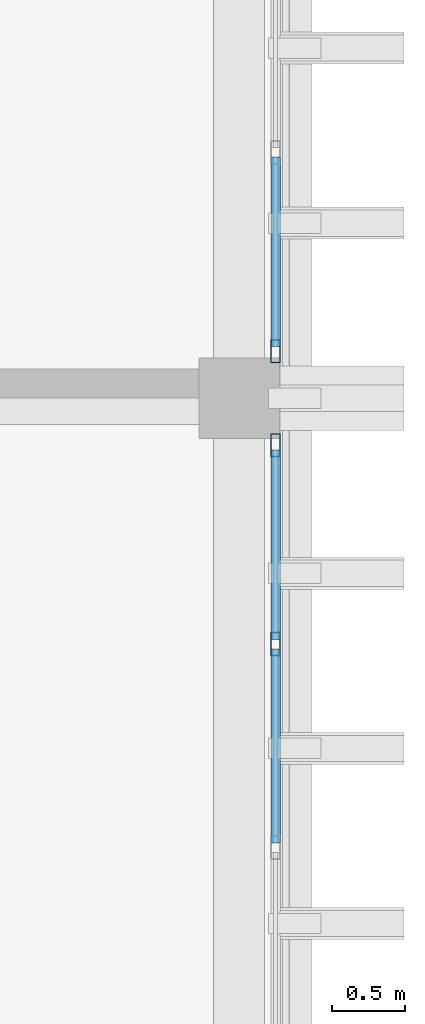
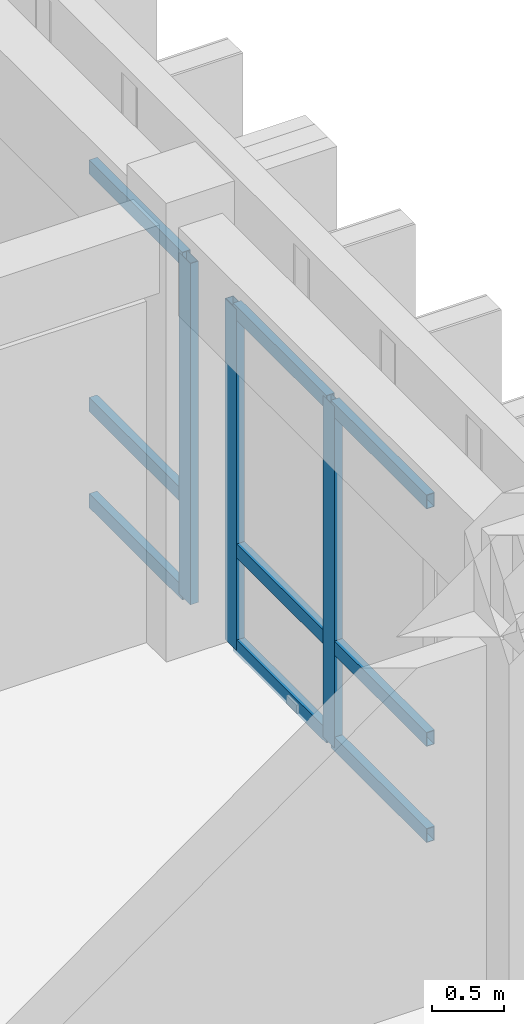
# One storey, part 32 of 50: 12 members, 2 elements without a shape of their own.
"""IFC4 building model written with IfcOpenShell, lengths in metres."""

from ifc_helpers import new_model, si_unit, direction, frame, origin, origin_2d, place, context, subcontext, project, spatial, hollow_rectangle, extrude, material, layer, layer_set, material_profile, profile_set, type_object, element, aggregate, save


model = new_model("IFC4")

# Units and contexts
model_context = context("Model", 3, precision=1e-05, world=origin(), true_north=direction((0.0, 1.0)))
body_context = subcontext(model_context, "Body", "Model", "MODEL_VIEW")
ifc_project = project(units=[si_unit("LENGTHUNIT", "METRE"), si_unit("AREAUNIT", "SQUARE_METRE"), si_unit("VOLUMEUNIT", "CUBIC_METRE"), si_unit("PLANEANGLEUNIT", "RADIAN"), si_unit("MASSUNIT", "GRAM", prefix="KILO")], contexts=[model_context])

# Site, building, storey
site_placement = place(None, origin())
site = spatial("IfcSite", under=ifc_project, at=site_placement, CompositionType="ELEMENT")
building_placement = place(site_placement, origin())
building = spatial("IfcBuilding", under=site, at=building_placement, Name="Nakhvara Creek Congress Hotel", CompositionType="ELEMENT")
storey_placement = place(building_placement, frame((0.0, 0.0, 42.60009765625)))
storey = spatial("IfcBuildingStorey", under=building, at=storey_placement, Name="L10", CompositionType="ELEMENT", Elevation=42.60009765625)

# Curtain wall, members
ifc_material_1 = material(Name="Bronze-anodised aluminium AW-6063-T6 and double-silver low-E glass", Category="aluminium")
ifc_layer = layer(ifc_material_1, 0.199951171875)
ifc_layer_set = layer_set([ifc_layer], Name="Bronze-anodised aluminium AW-6063-T6 and double-silver low-E glass")
curtain_wall_type = type_object("IfcCurtainWallType", Name="CW-HTL-UNIT", PredefinedType="USERDEFINED", material=ifc_layer_set)
curtain_wall_1_placement = place(storey_placement, origin())
curtain_wall_1 = element("IfcCurtainWall", 1, at=curtain_wall_1_placement, inside=storey, type_object=curtain_wall_type, Name="Curtain Wall CW326", ObjectType="UNITISED", PredefinedType="USERDEFINED")
ifc_material_2 = material(Name="Bronze-anodised aluminium AW-6063-T6", Category="aluminium")
ifc_material_profile_1 = material_profile(ifc_material_2, hollow_rectangle(XDim=0.06494140625, YDim=0.159912109375, WallThickness=0.00390625, at=origin_2d()), Name="ALU-MULL 65x160x4", Category="LoadBearing")
ifc_profile_set_1 = profile_set([ifc_material_profile_1], Name="Bronze-anodised aluminium AW-6063-T6")
member_type_1 = type_object("IfcMemberType", Name="CW-MULL-160", PredefinedType="MULLION", material=ifc_profile_set_1)
member_1_placement = place(storey_placement, frame((179.60009765625, 110.077392578125, 0.0), z_axis=(0.0, 0.0, 1.0), x_axis=(1.0, 0.0, 0.0)))
member_1 = element("IfcMember", 2, at=member_1_placement, type_object=member_type_1, Name="CW326 mullion 1", PredefinedType="MULLION", context=body_context, shape_type="SweptSolid", body=[
    extrude(hollow_rectangle(XDim=0.06494140625, YDim=0.159912109375, WallThickness=0.00390625, at=origin_2d()), origin(), (0.0, 0.0, 1.0), 2.90185546875),
])
member_2_placement = place(storey_placement, frame((179.60009765625, 108.715087890625, 0.0), z_axis=(0.0, 0.0, 1.0), x_axis=(1.0, 0.0, 0.0)))
member_2 = element("IfcMember", 3, at=member_2_placement, type_object=member_type_1, Name="CW326 mullion 2", PredefinedType="MULLION", context=body_context, shape_type="SweptSolid", body=[
    extrude(hollow_rectangle(XDim=0.06494140625, YDim=0.159912109375, WallThickness=0.00390625, at=origin_2d()), origin(), (0.0, 0.0, 1.0), 2.90185546875),
])

# Curtain wall, member
curtain_wall_2_placement = place(storey_placement, origin())
curtain_wall_2 = element("IfcCurtainWall", 4, at=curtain_wall_2_placement, inside=storey, type_object=curtain_wall_type, Name="Curtain Wall CW328", ObjectType="UNITISED", PredefinedType="USERDEFINED")
member_3_placement = place(storey_placement, frame((179.60009765625, 110.722412109375, 0.0), z_axis=(0.0, 0.0, 1.0), x_axis=(1.0, 0.0, 0.0)))
member_3 = element("IfcMember", 5, at=member_3_placement, type_object=member_type_1, Name="CW328 mullion 4", PredefinedType="MULLION", context=body_context, shape_type="SweptSolid", body=[
    extrude(hollow_rectangle(XDim=0.06494140625, YDim=0.159912109375, WallThickness=0.00390625, at=origin_2d()), origin(), (0.0, 0.0, 1.0), 2.90185546875),
])

# Member
ifc_material_profile_2 = material_profile(ifc_material_2, hollow_rectangle(XDim=0.06494140625, YDim=0.1201171875, WallThickness=0.00390625, at=origin_2d()), Name="ALU-TRAN 65x120x4", Category="LoadBearing")
ifc_profile_set_2 = profile_set([ifc_material_profile_2], Name="Bronze-anodised aluminium AW-6063-T6")
member_type_2 = type_object("IfcMemberType", Name="CW-TRAN-120", PredefinedType="USERDEFINED", material=ifc_profile_set_2)
member_4_placement = place(storey_placement, frame((179.60009765625, 110.044921875, 0.032470703125), z_axis=(0.0, -1.0, 0.0), x_axis=(1.0, 0.0, 0.0)))
member_4 = element("IfcMember", 6, at=member_4_placement, type_object=member_type_2, Name="CW326 transom 1.1", ObjectType="TRANSOM", PredefinedType="USERDEFINED", context=body_context, shape_type="SweptSolid", body=[
    extrude(hollow_rectangle(XDim=0.06494140625, YDim=0.1201171875, WallThickness=0.00390625, at=origin_2d()), origin(), (0.0, 0.0, 1.0), 1.29736328125),
])

member_5_placement = place(storey_placement, frame((179.60009765625, 110.044921875, 0.849853515625), z_axis=(0.0, -1.0, 0.0), x_axis=(1.0, 0.0, 0.0)))
member_5 = element("IfcMember", 7, at=member_5_placement, type_object=member_type_2, Name="CW326 transom 1.2", ObjectType="TRANSOM", PredefinedType="USERDEFINED", context=body_context, shape_type="SweptSolid", body=[
    extrude(hollow_rectangle(XDim=0.06494140625, YDim=0.1201171875, WallThickness=0.00390625, at=origin_2d()), origin(), (0.0, 0.0, 1.0), 1.29736328125),
])

member_6_placement = place(storey_placement, frame((179.60009765625, 110.044921875, 2.869384765625), z_axis=(0.0, -1.0, 0.0), x_axis=(1.0, 0.0, 0.0)))
member_6 = element("IfcMember", 8, at=member_6_placement, type_object=member_type_2, Name="CW326 transom 1.3", ObjectType="TRANSOM", PredefinedType="USERDEFINED", context=body_context, shape_type="SweptSolid", body=[
    extrude(hollow_rectangle(XDim=0.06494140625, YDim=0.1201171875, WallThickness=0.00390625, at=origin_2d()), origin(), (0.0, 0.0, 1.0), 1.29736328125),
])

member_7_placement = place(storey_placement, frame((179.60009765625, 108.6826171875, 0.032470703125), z_axis=(0.0, -1.0, 0.0), x_axis=(1.0, 0.0, 0.0)))
member_7 = element("IfcMember", 9, at=member_7_placement, type_object=member_type_2, Name="CW326 transom 2.1", ObjectType="TRANSOM", PredefinedType="USERDEFINED", context=body_context, shape_type="SweptSolid", body=[
    extrude(hollow_rectangle(XDim=0.06494140625, YDim=0.1201171875, WallThickness=0.00390625, at=origin_2d()), origin(), (0.0, 0.0, 1.0), 1.330078125),
])

member_8_placement = place(storey_placement, frame((179.60009765625, 108.6826171875, 0.849853515625), z_axis=(0.0, -1.0, 0.0), x_axis=(1.0, 0.0, 0.0)))
member_8 = element("IfcMember", 10, at=member_8_placement, type_object=member_type_2, Name="CW326 transom 2.2", ObjectType="TRANSOM", PredefinedType="USERDEFINED", context=body_context, shape_type="SweptSolid", body=[
    extrude(hollow_rectangle(XDim=0.06494140625, YDim=0.1201171875, WallThickness=0.00390625, at=origin_2d()), origin(), (0.0, 0.0, 1.0), 1.330078125),
])

member_9_placement = place(storey_placement, frame((179.60009765625, 108.6826171875, 2.869384765625), z_axis=(0.0, -1.0, 0.0), x_axis=(1.0, 0.0, 0.0)))
member_9 = element("IfcMember", 11, at=member_9_placement, type_object=member_type_2, Name="CW326 transom 2.3", ObjectType="TRANSOM", PredefinedType="USERDEFINED", context=body_context, shape_type="SweptSolid", body=[
    extrude(hollow_rectangle(XDim=0.06494140625, YDim=0.1201171875, WallThickness=0.00390625, at=origin_2d()), origin(), (0.0, 0.0, 1.0), 1.330078125),
])

aggregate(curtain_wall_1, [member_1, member_2, member_4, member_5, member_6, member_7, member_8, member_9])

member_10_placement = place(storey_placement, frame((179.60009765625, 112.052490234375, 0.032470703125), z_axis=(0.0, -1.0, 0.0), x_axis=(1.0, 0.0, 0.0)))
member_10 = element("IfcMember", 12, at=member_10_placement, type_object=member_type_2, Name="CW328 transom 3.1", ObjectType="TRANSOM", PredefinedType="USERDEFINED", context=body_context, shape_type="SweptSolid", body=[
    extrude(hollow_rectangle(XDim=0.06494140625, YDim=0.1201171875, WallThickness=0.00390625, at=origin_2d()), origin(), (0.0, 0.0, 1.0), 1.297607421875),
])

member_11_placement = place(storey_placement, frame((179.60009765625, 112.052490234375, 0.849853515625), z_axis=(0.0, -1.0, 0.0), x_axis=(1.0, 0.0, 0.0)))
member_11 = element("IfcMember", 13, at=member_11_placement, type_object=member_type_2, Name="CW328 transom 3.2", ObjectType="TRANSOM", PredefinedType="USERDEFINED", context=body_context, shape_type="SweptSolid", body=[
    extrude(hollow_rectangle(XDim=0.06494140625, YDim=0.1201171875, WallThickness=0.00390625, at=origin_2d()), origin(), (0.0, 0.0, 1.0), 1.297607421875),
])

member_12_placement = place(storey_placement, frame((179.60009765625, 112.052490234375, 2.869384765625), z_axis=(0.0, -1.0, 0.0), x_axis=(1.0, 0.0, 0.0)))
member_12 = element("IfcMember", 14, at=member_12_placement, type_object=member_type_2, Name="CW328 transom 3.3", ObjectType="TRANSOM", PredefinedType="USERDEFINED", context=body_context, shape_type="SweptSolid", body=[
    extrude(hollow_rectangle(XDim=0.06494140625, YDim=0.1201171875, WallThickness=0.00390625, at=origin_2d()), origin(), (0.0, 0.0, 1.0), 1.297607421875),
])

aggregate(curtain_wall_2, [member_3, member_10, member_11, member_12])

save(model, "model.ifc")
